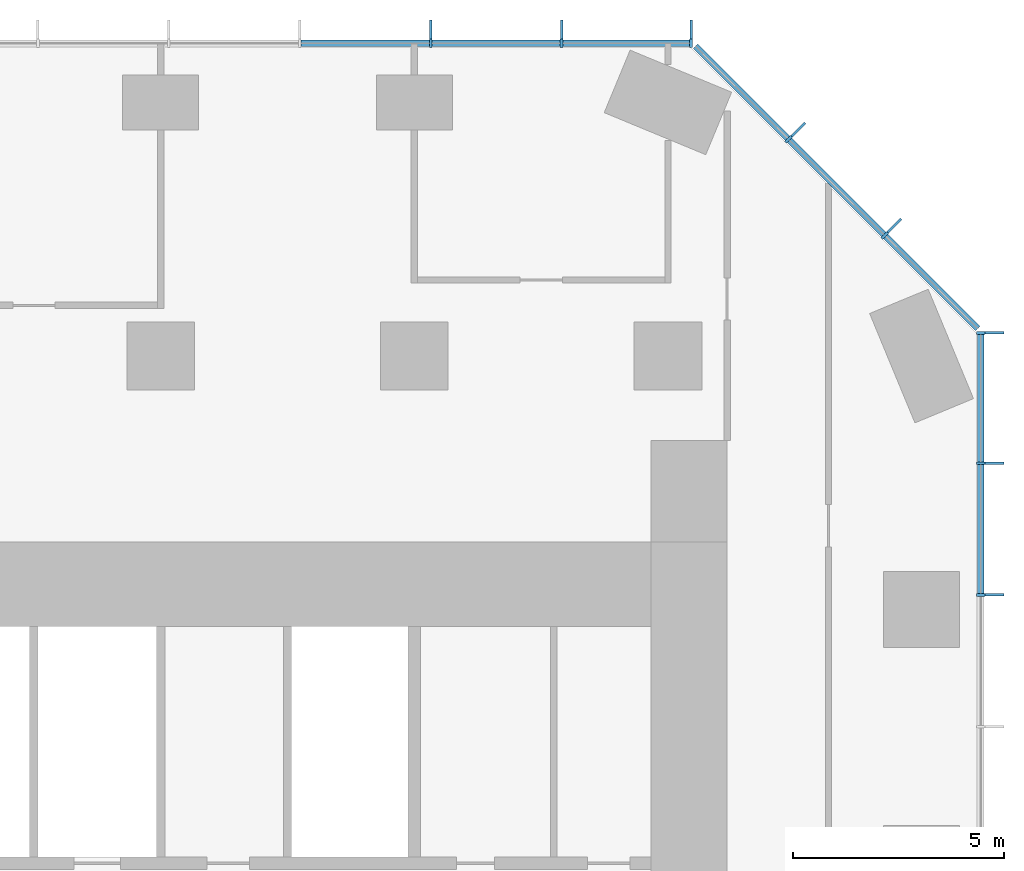
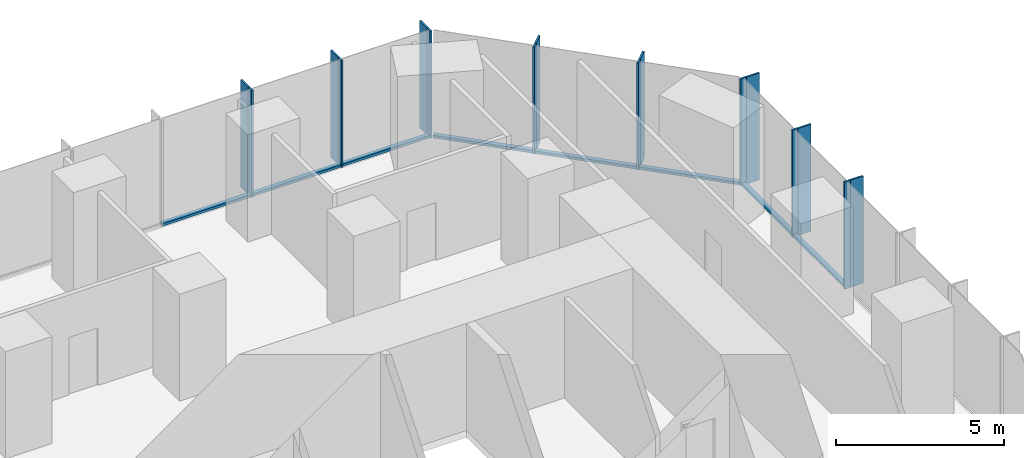
# One storey, part 6 of 11: 24 members, 3 elements without a shape of their own.
"""IFC4 building model written with IfcOpenShell, lengths in metres."""

from ifc_helpers import new_model, si_unit, direction, frame, origin, origin_2d, place, context, subcontext, project, spatial, rectangle, extrude, material, layer, layer_set, material_profile, profile_set, type_object, element, aggregate, save


model = new_model("IFC4")

# Units and contexts
model_context = context("Model", 3, precision=1e-05, world=origin(), true_north=direction((0.0, 1.0)))
body_context = subcontext(model_context, "Body", "Model", "MODEL_VIEW")
ifc_project = project(units=[si_unit("LENGTHUNIT", "METRE"), si_unit("AREAUNIT", "SQUARE_METRE"), si_unit("VOLUMEUNIT", "CUBIC_METRE"), si_unit("PLANEANGLEUNIT", "RADIAN"), si_unit("MASSUNIT", "GRAM", prefix="KILO")], contexts=[model_context])

# Site, building, storey
site_placement = place(None, origin())
site = spatial("IfcSite", under=ifc_project, at=site_placement, CompositionType="ELEMENT")
building_placement = place(site_placement, origin())
building = spatial("IfcBuilding", under=site, at=building_placement, Name="Highveld Stack Headquarters", CompositionType="ELEMENT")
storey_placement = place(building_placement, frame((0.0, 0.0, 121.10009765625)))
storey = spatial("IfcBuildingStorey", under=building, at=storey_placement, Name="L29", CompositionType="ELEMENT", Elevation=121.10009765625)

# Curtain wall, members
ifc_material_1 = material(Name="Aluminium bronze anodised", Category="aluminium")
ifc_layer_1 = layer(ifc_material_1, 0.199951171875)
ifc_layer_set_1 = layer_set([ifc_layer_1], Name="Aluminium bronze anodised")
curtain_wall_type_1 = type_object("IfcCurtainWallType", Name="CW1 TOWER UNITISED CURTAIN WALL", PredefinedType="NOTDEFINED", material=ifc_layer_set_1)
curtain_wall_1_placement = place(storey_placement, origin())
curtain_wall_1 = element("IfcCurtainWall", 1, at=curtain_wall_1_placement, inside=storey, type_object=curtain_wall_type_1, Name="Curtain wall CW1 L29 E", PredefinedType="NOTDEFINED")
ifc_material_2 = material(Name="Aluminium bronze anodised", Category="aluminium")
ifc_material_profile_1 = material_profile(ifc_material_2, rectangle(XDim=0.449951171875, YDim=0.06005859375, at=origin_2d()), Name="FIN 450x60")
ifc_profile_set_1 = profile_set([ifc_material_profile_1], Name="Aluminium bronze anodised")
member_type_1 = type_object("IfcMemberType", Name="CW1 BRONZE FIN 450x60", PredefinedType="USERDEFINED", material=ifc_profile_set_1)
member_1_placement = place(storey_placement, frame((25.72509765625, 12.347900390625, 0.0), z_axis=(0.0, 0.0, 1.0), x_axis=(-1.0, 0.0, 0.0)))
member_1 = element("IfcMember", 2, at=member_1_placement, type_object=member_type_1, Name="CW1 fin L29 9", ObjectType="FIN", PredefinedType="USERDEFINED", context=body_context, shape_type="SweptSolid", body=[
    extrude(rectangle(XDim=0.449951171875, YDim=0.06005859375, at=origin_2d()), origin(), (0.0, 0.0, 1.0), 3.89990234375),
])
member_2_placement = place(storey_placement, frame((25.72509765625, 15.4638671875, 0.0), z_axis=(0.0, 0.0, 1.0), x_axis=(-1.0, 0.0, 0.0)))
member_2 = element("IfcMember", 3, at=member_2_placement, type_object=member_type_1, Name="CW1 fin L29 10", ObjectType="FIN", PredefinedType="USERDEFINED", context=body_context, shape_type="SweptSolid", body=[
    extrude(rectangle(XDim=0.449951171875, YDim=0.06005859375, at=origin_2d()), origin(), (0.0, 0.0, 1.0), 3.89990234375),
])
member_3_placement = place(storey_placement, frame((25.72509765625, 18.54736328125, 0.0), z_axis=(0.0, 0.0, 1.0), x_axis=(-1.0, 0.0, 0.0)))
member_3 = element("IfcMember", 4, at=member_3_placement, type_object=member_type_1, Name="CW1 fin L29 11", ObjectType="FIN", PredefinedType="USERDEFINED", context=body_context, shape_type="SweptSolid", body=[
    extrude(rectangle(XDim=0.449951171875, YDim=0.06005859375, at=origin_2d()), origin(), (0.0, 0.0, 1.0), 3.89990234375),
])

curtain_wall_2_placement = place(storey_placement, origin())
curtain_wall_2 = element("IfcCurtainWall", 5, at=curtain_wall_2_placement, inside=storey, type_object=curtain_wall_type_1, Name="Curtain wall CW1 L29 N", PredefinedType="NOTDEFINED")
member_4_placement = place(storey_placement, frame((18.54736328125, 25.72509765625, 0.0), z_axis=(0.0, 0.0, 1.0), x_axis=(0.0, -1.0, 0.0)))
member_4 = element("IfcMember", 6, at=member_4_placement, type_object=member_type_1, Name="CW1 fin L29 1", ObjectType="FIN", PredefinedType="USERDEFINED", context=body_context, shape_type="SweptSolid", body=[
    extrude(rectangle(XDim=0.449951171875, YDim=0.06005859375, at=origin_2d()), origin(), (0.0, 0.0, 1.0), 3.89990234375),
])
member_5_placement = place(storey_placement, frame((15.483154296875, 25.72509765625, 0.0), z_axis=(0.0, 0.0, 1.0), x_axis=(0.0, -1.0, 0.0)))
member_5 = element("IfcMember", 7, at=member_5_placement, type_object=member_type_1, Name="CW1 fin L29 2", ObjectType="FIN", PredefinedType="USERDEFINED", context=body_context, shape_type="SweptSolid", body=[
    extrude(rectangle(XDim=0.449951171875, YDim=0.06005859375, at=origin_2d()), origin(), (0.0, 0.0, 1.0), 3.89990234375),
])
member_6_placement = place(storey_placement, frame((12.38671875, 25.72509765625, 0.0), z_axis=(0.0, 0.0, 1.0), x_axis=(0.0, -1.0, 0.0)))
member_6 = element("IfcMember", 8, at=member_6_placement, type_object=member_type_1, Name="CW1 fin L29 3", ObjectType="FIN", PredefinedType="USERDEFINED", context=body_context, shape_type="SweptSolid", body=[
    extrude(rectangle(XDim=0.449951171875, YDim=0.06005859375, at=origin_2d()), origin(), (0.0, 0.0, 1.0), 3.89990234375),
])

# Member
ifc_material_3 = material(Name="Aluminium bronze anodised", Category="aluminium")
ifc_material_profile_2 = material_profile(ifc_material_3, rectangle(XDim=0.199951171875, YDim=0.06494140625, at=origin_2d()), Name="CW1 MULLION 65x200")
ifc_profile_set_2 = profile_set([ifc_material_profile_2], Name="Aluminium bronze anodised")
member_type_2 = type_object("IfcMemberType", Name="CW1 MULLION 65x200", PredefinedType="MULLION", material=ifc_profile_set_2)
member_7_placement = place(storey_placement, frame((25.39990234375, 12.347900390625, 0.0), z_axis=(0.0, 0.0, 1.0), x_axis=(-1.0, 0.0, 0.0)))
member_7 = element("IfcMember", 9, at=member_7_placement, type_object=member_type_2, Name="CW1 mullion L29 9", PredefinedType="MULLION", context=body_context, shape_type="SweptSolid", body=[
    extrude(rectangle(XDim=0.199951171875, YDim=0.06494140625, at=origin_2d()), origin(), (0.0, 0.0, 1.0), 3.89990234375),
])

member_8_placement = place(storey_placement, frame((25.39990234375, 15.4638671875, 0.0), z_axis=(0.0, 0.0, 1.0), x_axis=(-1.0, 0.0, 0.0)))
member_8 = element("IfcMember", 10, at=member_8_placement, type_object=member_type_2, Name="CW1 mullion L29 10", PredefinedType="MULLION", context=body_context, shape_type="SweptSolid", body=[
    extrude(rectangle(XDim=0.199951171875, YDim=0.06494140625, at=origin_2d()), origin(), (0.0, 0.0, 1.0), 3.89990234375),
])

member_9_placement = place(storey_placement, frame((25.39990234375, 18.54736328125, 0.0), z_axis=(0.0, 0.0, 1.0), x_axis=(-1.0, 0.0, 0.0)))
member_9 = element("IfcMember", 11, at=member_9_placement, type_object=member_type_2, Name="CW1 mullion L29 11", PredefinedType="MULLION", context=body_context, shape_type="SweptSolid", body=[
    extrude(rectangle(XDim=0.199951171875, YDim=0.06494140625, at=origin_2d()), origin(), (0.0, 0.0, 1.0), 3.89990234375),
])

member_10_placement = place(storey_placement, frame((18.54736328125, 25.39990234375, 0.0), z_axis=(0.0, 0.0, 1.0), x_axis=(0.0, -1.0, 0.0)))
member_10 = element("IfcMember", 12, at=member_10_placement, type_object=member_type_2, Name="CW1 mullion L29 1", PredefinedType="MULLION", context=body_context, shape_type="SweptSolid", body=[
    extrude(rectangle(XDim=0.199951171875, YDim=0.06494140625, at=origin_2d()), origin(), (0.0, 0.0, 1.0), 3.89990234375),
])

member_11_placement = place(storey_placement, frame((15.483154296875, 25.39990234375, 0.0), z_axis=(0.0, 0.0, 1.0), x_axis=(0.0, -1.0, 0.0)))
member_11 = element("IfcMember", 13, at=member_11_placement, type_object=member_type_2, Name="CW1 mullion L29 2", PredefinedType="MULLION", context=body_context, shape_type="SweptSolid", body=[
    extrude(rectangle(XDim=0.199951171875, YDim=0.06494140625, at=origin_2d()), origin(), (0.0, 0.0, 1.0), 3.89990234375),
])

member_12_placement = place(storey_placement, frame((12.38671875, 25.39990234375, 0.0), z_axis=(0.0, 0.0, 1.0), x_axis=(0.0, -1.0, 0.0)))
member_12 = element("IfcMember", 14, at=member_12_placement, type_object=member_type_2, Name="CW1 mullion L29 3", PredefinedType="MULLION", context=body_context, shape_type="SweptSolid", body=[
    extrude(rectangle(XDim=0.199951171875, YDim=0.06494140625, at=origin_2d()), origin(), (0.0, 0.0, 1.0), 3.89990234375),
])

ifc_material_4 = material(Name="Aluminium bronze anodised", Category="aluminium")
ifc_material_profile_3 = material_profile(ifc_material_4, rectangle(XDim=0.14990234375, YDim=0.10009765625, at=origin_2d()), Name="CW1 TRANSOM 150x100")
ifc_profile_set_3 = profile_set([ifc_material_profile_3], Name="Aluminium bronze anodised")
member_type_3 = type_object("IfcMemberType", Name="CW1 STACK TRANSOM 150x100", PredefinedType="USERDEFINED", material=ifc_profile_set_3)
member_13_placement = place(storey_placement, frame((25.39990234375, 12.38037109375, 0.0498046875), z_axis=(0.0, 1.0, 0.0), x_axis=(-1.0, 0.0, 0.0)))
member_13 = element("IfcMember", 15, at=member_13_placement, type_object=member_type_3, Name="CW1 transom L29 9.1", ObjectType="TRANSOM", PredefinedType="USERDEFINED", context=body_context, shape_type="SweptSolid", body=[
    extrude(rectangle(XDim=0.14990234375, YDim=0.10009765625, at=origin_2d()), origin(), (0.0, 0.0, 1.0), 3.051025390625),
])

member_14_placement = place(storey_placement, frame((25.39990234375, 15.496337890625, 0.0498046875), z_axis=(0.0, 1.0, 0.0), x_axis=(-1.0, 0.0, 0.0)))
member_14 = element("IfcMember", 16, at=member_14_placement, type_object=member_type_3, Name="CW1 transom L29 10.1", ObjectType="TRANSOM", PredefinedType="USERDEFINED", context=body_context, shape_type="SweptSolid", body=[
    extrude(rectangle(XDim=0.14990234375, YDim=0.10009765625, at=origin_2d()), origin(), (0.0, 0.0, 1.0), 3.0185546875),
])

aggregate(curtain_wall_1, [member_7, member_1, member_8, member_2, member_9, member_3, member_13, member_14])

member_15_placement = place(storey_placement, frame((18.514892578125, 25.39990234375, 0.0498046875), z_axis=(-1.0, 0.0, 0.0), x_axis=(0.0, -1.0, 0.0)))
member_15 = element("IfcMember", 17, at=member_15_placement, type_object=member_type_3, Name="CW1 transom L29 1.1", ObjectType="TRANSOM", PredefinedType="USERDEFINED", context=body_context, shape_type="SweptSolid", body=[
    extrude(rectangle(XDim=0.14990234375, YDim=0.10009765625, at=origin_2d()), origin(), (0.0, 0.0, 1.0), 2.999267578125),
])

member_16_placement = place(storey_placement, frame((15.45068359375, 25.39990234375, 0.0498046875), z_axis=(-1.0, 0.0, 0.0), x_axis=(0.0, -1.0, 0.0)))
member_16 = element("IfcMember", 18, at=member_16_placement, type_object=member_type_3, Name="CW1 transom L29 2.1", ObjectType="TRANSOM", PredefinedType="USERDEFINED", context=body_context, shape_type="SweptSolid", body=[
    extrude(rectangle(XDim=0.14990234375, YDim=0.10009765625, at=origin_2d()), origin(), (0.0, 0.0, 1.0), 3.031494140625),
])

member_17_placement = place(storey_placement, frame((12.35400390625, 25.39990234375, 0.0498046875), z_axis=(-1.0, 0.0, 0.0), x_axis=(0.0, -1.0, 0.0)))
member_17 = element("IfcMember", 19, at=member_17_placement, type_object=member_type_3, Name="CW1 transom L29 3.1", ObjectType="TRANSOM", PredefinedType="USERDEFINED", context=body_context, shape_type="SweptSolid", body=[
    extrude(rectangle(XDim=0.14990234375, YDim=0.10009765625, at=origin_2d()), origin(), (0.0, 0.0, 1.0), 3.031494140625),
])

aggregate(curtain_wall_2, [member_10, member_4, member_11, member_5, member_12, member_6, member_15, member_16, member_17])

# Curtain wall, members
ifc_material_5 = material(Name="Aluminium bronze anodised", Category="aluminium")
ifc_layer_2 = layer(ifc_material_5, 0.199951171875)
ifc_layer_set_2 = layer_set([ifc_layer_2], Name="Aluminium bronze anodised")
curtain_wall_type_2 = type_object("IfcCurtainWallType", Name="CW2 TOWER CHAMFER UNITISED CURTAIN WALL", PredefinedType="NOTDEFINED", material=ifc_layer_set_2)
curtain_wall_3_placement = place(storey_placement, origin())
curtain_wall_3 = element("IfcCurtainWall", 20, at=curtain_wall_3_placement, inside=storey, type_object=curtain_wall_type_2, Name="Curtain wall CW2 L29 NE", PredefinedType="NOTDEFINED")
ifc_material_6 = material(Name="Aluminium bronze anodised", Category="aluminium")
ifc_material_profile_4 = material_profile(ifc_material_6, rectangle(XDim=0.449951171875, YDim=0.06005859375, at=origin_2d()), Name="FIN 450x60")
ifc_profile_set_4 = profile_set([ifc_material_profile_4], Name="Aluminium bronze anodised")
member_type_4 = type_object("IfcMemberType", Name="CW2 BRONZE FIN 450x60", PredefinedType="USERDEFINED", material=ifc_profile_set_4)
member_18_placement = place(storey_placement, frame((23.3564453125, 21.0830078125, 0.0), z_axis=(0.0, 0.0, 1.0), x_axis=(-0.707106781187, -0.707106781187, 0.0)))
member_18 = element("IfcMember", 21, at=member_18_placement, type_object=member_type_4, Name="CW2 fin L29 1", ObjectType="FIN", PredefinedType="USERDEFINED", context=body_context, shape_type="SweptSolid", body=[
    extrude(rectangle(XDim=0.449951171875, YDim=0.06005859375, at=origin_2d()), origin(), (0.0, 0.0, 1.0), 3.89990234375),
])
member_19_placement = place(storey_placement, frame((21.0830078125, 23.3564453125, 0.0), z_axis=(0.0, 0.0, 1.0), x_axis=(-0.707106781187, -0.707106781187, 0.0)))
member_19 = element("IfcMember", 22, at=member_19_placement, type_object=member_type_4, Name="CW2 fin L29 2", ObjectType="FIN", PredefinedType="USERDEFINED", context=body_context, shape_type="SweptSolid", body=[
    extrude(rectangle(XDim=0.449951171875, YDim=0.06005859375, at=origin_2d()), origin(), (0.0, 0.0, 1.0), 3.89990234375),
])
ifc_material_7 = material(Name="Aluminium bronze anodised", Category="aluminium")
ifc_material_profile_5 = material_profile(ifc_material_7, rectangle(XDim=0.199951171875, YDim=0.06494140625, at=origin_2d()), Name="CW2 MULLION 65x200")
ifc_profile_set_5 = profile_set([ifc_material_profile_5], Name="Aluminium bronze anodised")
member_type_5 = type_object("IfcMemberType", Name="CW2 MULLION 65x200", PredefinedType="MULLION", material=ifc_profile_set_5)
member_20_placement = place(storey_placement, frame((23.126708984375, 20.853271484375, 0.0), z_axis=(0.0, 0.0, 1.0), x_axis=(-0.707106781187, -0.707106781187, 0.0)))
member_20 = element("IfcMember", 23, at=member_20_placement, type_object=member_type_5, Name="CW2 mullion L29 1", PredefinedType="MULLION", context=body_context, shape_type="SweptSolid", body=[
    extrude(rectangle(XDim=0.199951171875, YDim=0.06494140625, at=origin_2d()), origin(), (0.0, 0.0, 1.0), 3.89990234375),
])
member_21_placement = place(storey_placement, frame((20.853271484375, 23.126708984375, 0.0), z_axis=(0.0, 0.0, 1.0), x_axis=(-0.707106781187, -0.707106781187, 0.0)))
member_21 = element("IfcMember", 24, at=member_21_placement, type_object=member_type_5, Name="CW2 mullion L29 2", PredefinedType="MULLION", context=body_context, shape_type="SweptSolid", body=[
    extrude(rectangle(XDim=0.199951171875, YDim=0.06494140625, at=origin_2d()), origin(), (0.0, 0.0, 1.0), 3.89990234375),
])
ifc_material_8 = material(Name="Aluminium bronze anodised", Category="aluminium")
ifc_material_profile_6 = material_profile(ifc_material_8, rectangle(XDim=0.14990234375, YDim=0.10009765625, at=origin_2d()), Name="CW2 TRANSOM 150x100")
ifc_profile_set_6 = profile_set([ifc_material_profile_6], Name="Aluminium bronze anodised")
member_type_6 = type_object("IfcMemberType", Name="CW2 STACK TRANSOM 150x100", PredefinedType="USERDEFINED", material=ifc_profile_set_6)
member_22_placement = place(storey_placement, frame((25.329345703125, 18.650634765625, 0.0498046875), z_axis=(-0.707106781187, 0.707106781187, 0.0), x_axis=(-0.707106781187, -0.707106781187, 0.0)))
member_22 = element("IfcMember", 25, at=member_22_placement, type_object=member_type_6, Name="CW2 transom L29 1.1", ObjectType="TRANSOM", PredefinedType="USERDEFINED", context=body_context, shape_type="SweptSolid", body=[
    extrude(rectangle(XDim=0.14990234375, YDim=0.10009765625, at=origin_2d()), origin(), (0.0, 0.0, 1.0), 3.08251953125),
])
member_23_placement = place(storey_placement, frame((23.103759765625, 20.876220703125, 0.0498046875), z_axis=(-0.707106781187, 0.707106781187, 0.0), x_axis=(-0.707106781187, -0.707106781187, 0.0)))
member_23 = element("IfcMember", 26, at=member_23_placement, type_object=member_type_6, Name="CW2 transom L29 2.1", ObjectType="TRANSOM", PredefinedType="USERDEFINED", context=body_context, shape_type="SweptSolid", body=[
    extrude(rectangle(XDim=0.14990234375, YDim=0.10009765625, at=origin_2d()), origin(), (0.0, 0.0, 1.0), 3.150146484375),
])
member_24_placement = place(storey_placement, frame((20.830322265625, 23.149658203125, 0.0498046875), z_axis=(-0.707106781187, 0.707106781187, 0.0), x_axis=(-0.707106781187, -0.707106781187, 0.0)))
member_24 = element("IfcMember", 27, at=member_24_placement, type_object=member_type_6, Name="CW2 transom L29 3.1", ObjectType="TRANSOM", PredefinedType="USERDEFINED", context=body_context, shape_type="SweptSolid", body=[
    extrude(rectangle(XDim=0.14990234375, YDim=0.10009765625, at=origin_2d()), origin(), (0.0, 0.0, 1.0), 3.08251953125),
])
aggregate(curtain_wall_3, [member_20, member_18, member_21, member_19, member_22, member_23, member_24])

save(model, "model.ifc")
